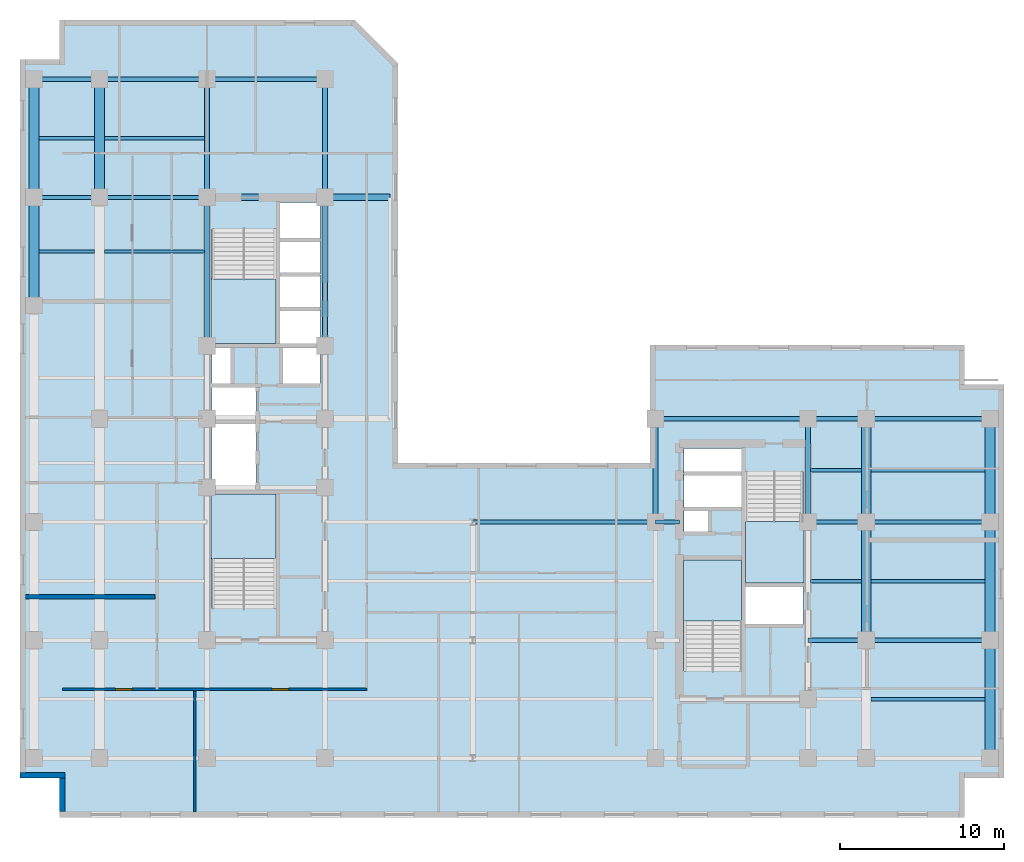
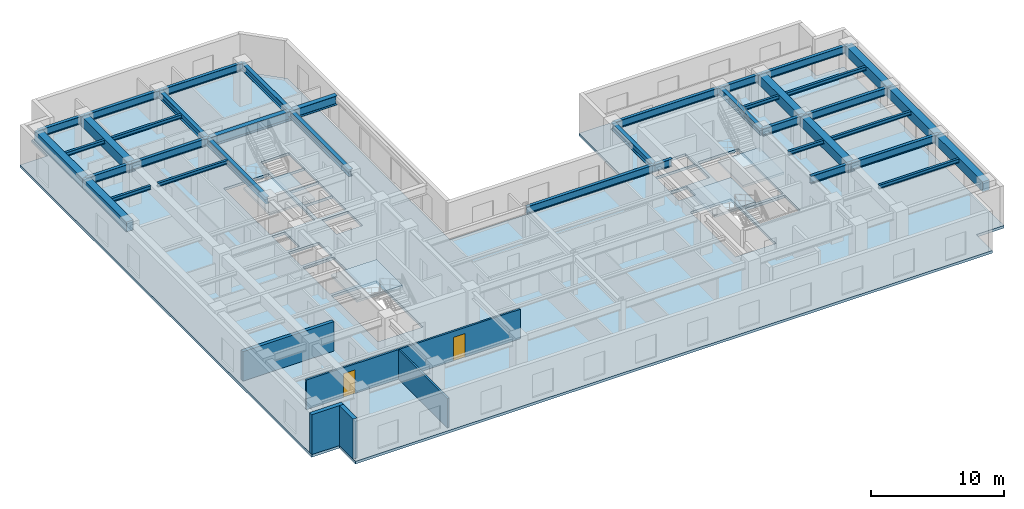
# One storey, part 2 of 10: 38 beams, 5 slabs, 5 walls, 2 doors, 2 openings, 4 elements without a shape of their own.
"""IFC4 building model written with IfcOpenShell, lengths in metres."""

from ifc_helpers import new_model, entity, si_unit, converted_unit, direction, frame, origin_with_axes, origin_2d_with_axis, place, context, subcontext, project, spatial, polyline, rectangle, i_section, outline, extrude, material, layer, layer_set, material_profile, profile_set, type_object, element, fill, aggregate, save


model = new_model("IFC4")

# Units and contexts
model_context = context("Model", 3, precision=1e-05, world=origin_with_axes(), true_north=direction((0.0, 1.0)))
body_context = subcontext(model_context, "Body", "Model", "MODEL_VIEW")
ifc_project = project(units=[si_unit("LENGTHUNIT", "METRE"), si_unit("AREAUNIT", "SQUARE_METRE"), si_unit("VOLUMEUNIT", "CUBIC_METRE"), converted_unit("PLANEANGLEUNIT", "DEGREE", entity("IfcPlaneAngleMeasure", 0.017453292519943295), si_unit("PLANEANGLEUNIT", "RADIAN"), dimensions=[0, 0, 0, 0, 0, 0, 0]), si_unit("MASSUNIT", "GRAM", prefix="KILO"), si_unit("THERMODYNAMICTEMPERATUREUNIT", "KELVIN")], contexts=[model_context])

# Site, building, storey
site_placement = place(None, origin_with_axes())
site = spatial("IfcSite", under=ifc_project, at=site_placement, CompositionType="ELEMENT")
building_placement = place(site_placement, origin_with_axes())
building = spatial("IfcBuilding", under=site, at=building_placement, Name="Varnlund Millrace Tower", CompositionType="ELEMENT")
storey_placement = place(building_placement, frame((0.0, 0.0, 156.3), z_axis=(0.0, 0.0, 1.0), x_axis=(1.0, 0.0, 0.0)))
storey = spatial("IfcBuildingStorey", under=building, at=storey_placement, Name="L38", CompositionType="ELEMENT", Elevation=156.3)

# Beams
ifc_material_1 = material(Name="Steel ASTM A992 Grade 50", Category="steel")
ifc_material_profile_1 = material_profile(ifc_material_1, i_section(OverallWidth=0.328, OverallDepth=0.628, WebThickness=0.0165, FlangeThickness=0.0277, FilletRadius=0.018, at=origin_2d_with_axis()), Name="Steel ASTM A992 Grade 50")
ifc_profile_set_1 = profile_set([ifc_material_profile_1], Name="Steel ASTM A992 Grade 50")
beam_type_1 = type_object("IfcBeamType", Name="Type-Girder-W24X146", PredefinedType="USERDEFINED", material=ifc_profile_set_1)
beam_1_placement = place(storey_placement, frame((11.4, 28.75, 3.346), z_axis=(0.0, 1.0, 0.0), x_axis=(-1.0, 0.0, 0.0)))
element("IfcBeam", 1, at=beam_1_placement, inside=storey, type_object=beam_type_1, Name="Type-Girder-W24X146", ObjectType="GIRDER", PredefinedType="USERDEFINED", context=body_context, shape_type="SweptSolid", body=[
    extrude(i_section(OverallWidth=0.328, OverallDepth=0.628, WebThickness=0.0165, FlangeThickness=0.0277, FilletRadius=0.018, at=origin_2d_with_axis()), origin_with_axes(), (0.0, 0.0, 1.0), 9.05),
])
beam_2_placement = place(storey_placement, frame((11.4, 37.8, 3.346), z_axis=(0.0, 1.0, 0.0), x_axis=(-1.0, 0.0, 0.0)))
element("IfcBeam", 2, at=beam_2_placement, inside=storey, type_object=beam_type_1, Name="Type-Girder-W24X146", ObjectType="GIRDER", PredefinedType="USERDEFINED", context=body_context, shape_type="SweptSolid", body=[
    extrude(i_section(OverallWidth=0.328, OverallDepth=0.628, WebThickness=0.0165, FlangeThickness=0.0277, FilletRadius=0.018, at=origin_2d_with_axis()), origin_with_axes(), (0.0, 0.0, 1.0), 7.2),
])
beam_3_placement = place(storey_placement, frame((18.6, 28.75, 3.346), z_axis=(0.0, 1.0, 0.0), x_axis=(-1.0, 0.0, 0.0)))
element("IfcBeam", 3, at=beam_3_placement, inside=storey, type_object=beam_type_1, Name="Type-Girder-W24X146", ObjectType="GIRDER", PredefinedType="USERDEFINED", context=body_context, shape_type="SweptSolid", body=[
    extrude(i_section(OverallWidth=0.328, OverallDepth=0.628, WebThickness=0.0165, FlangeThickness=0.0277, FilletRadius=0.018, at=origin_2d_with_axis()), origin_with_axes(), (0.0, 0.0, 1.0), 9.05),
])
beam_4_placement = place(storey_placement, frame((18.6, 37.8, 3.346), z_axis=(0.0, 1.0, 0.0), x_axis=(-1.0, 0.0, 0.0)))
element("IfcBeam", 4, at=beam_4_placement, inside=storey, type_object=beam_type_1, Name="Type-Girder-W24X146", ObjectType="GIRDER", PredefinedType="USERDEFINED", context=body_context, shape_type="SweptSolid", body=[
    extrude(i_section(OverallWidth=0.328, OverallDepth=0.628, WebThickness=0.0165, FlangeThickness=0.0277, FilletRadius=0.018, at=origin_2d_with_axis()), origin_with_axes(), (0.0, 0.0, 1.0), 7.2),
])
for number, where, z_axis, x_axis, name in (
    (5, (38.75, 18.0, 3.346), (0.0, 1.0, 0.0), (-1.0, 0.0, 0.0), "Type-Girder-W24X146"),
    (6, (48.05, 18.0, 3.346), (0.0, 1.0, 0.0), (-1.0, 0.0, 0.0), "Type-Girder-W24X146"),
):
    element("IfcBeam", number, at=place(storey_placement, frame(where, z_axis=z_axis, x_axis=x_axis)), inside=storey, type_object=beam_type_1, Name=name, ObjectType="GIRDER", PredefinedType="USERDEFINED", context=body_context, shape_type="SweptSolid", body=[
        extrude(i_section(OverallWidth=0.328, OverallDepth=0.628, WebThickness=0.0165, FlangeThickness=0.0277, FilletRadius=0.018, at=origin_2d_with_axis()), origin_with_axes(), (0.0, 0.0, 1.0), 6.3),
    ])
ifc_material_profile_2 = material_profile(ifc_material_1, i_section(OverallWidth=0.256, OverallDepth=0.693, WebThickness=0.0145, FlangeThickness=0.0236, FilletRadius=0.018, at=origin_2d_with_axis()), Name="Steel ASTM A992 Grade 50")
ifc_profile_set_2 = profile_set([ifc_material_profile_2], Name="Steel ASTM A992 Grade 50")
beam_type_2 = type_object("IfcBeamType", Name="Type-Girder-W27X114", PredefinedType="USERDEFINED", material=ifc_profile_set_2)
beam_5_placement = place(storey_placement, frame((48.05, 10.8, 3.3135), z_axis=(1.0, 0.0, 0.0), x_axis=(0.0, 1.0, 0.0)))
element("IfcBeam", 7, at=beam_5_placement, inside=storey, type_object=beam_type_2, Name="Type-Girder-W27X114", ObjectType="GIRDER", PredefinedType="USERDEFINED", context=body_context, shape_type="SweptSolid", body=[
    extrude(i_section(OverallWidth=0.256, OverallDepth=0.693, WebThickness=0.0145, FlangeThickness=0.0236, FilletRadius=0.018, at=origin_2d_with_axis()), origin_with_axes(), (0.0, 0.0, 1.0), 3.55),
])
beam_6_placement = place(storey_placement, frame((51.6, 10.8, 3.3135), z_axis=(1.0, 0.0, 0.0), x_axis=(0.0, 1.0, 0.0)))
element("IfcBeam", 8, at=beam_6_placement, inside=storey, type_object=beam_type_2, Name="Type-Girder-W27X114", ObjectType="GIRDER", PredefinedType="USERDEFINED", context=body_context, shape_type="SweptSolid", body=[
    extrude(i_section(OverallWidth=0.256, OverallDepth=0.693, WebThickness=0.0145, FlangeThickness=0.0236, FilletRadius=0.018, at=origin_2d_with_axis()), origin_with_axes(), (0.0, 0.0, 1.0), 7.55),
])
beam_7_placement = place(storey_placement, frame((27.6, 18.0, 3.3135), z_axis=(1.0, 0.0, 0.0), x_axis=(0.0, 1.0, 0.0)))
element("IfcBeam", 9, at=beam_7_placement, inside=storey, type_object=beam_type_2, Name="Type-Girder-W27X114", ObjectType="GIRDER", PredefinedType="USERDEFINED", context=body_context, shape_type="SweptSolid", body=[
    extrude(i_section(OverallWidth=0.256, OverallDepth=0.693, WebThickness=0.0145, FlangeThickness=0.0236, FilletRadius=0.018, at=origin_2d_with_axis()), origin_with_axes(), (0.0, 0.0, 1.0), 11.15),
])
beam_8_placement = place(storey_placement, frame((38.75, 18.0, 3.3135), z_axis=(1.0, 0.0, 0.0), x_axis=(0.0, 1.0, 0.0)))
element("IfcBeam", 10, at=beam_8_placement, inside=storey, type_object=beam_type_2, Name="Type-Girder-W27X114", ObjectType="GIRDER", PredefinedType="USERDEFINED", context=body_context, shape_type="SweptSolid", body=[
    extrude(i_section(OverallWidth=0.256, OverallDepth=0.693, WebThickness=0.0145, FlangeThickness=0.0236, FilletRadius=0.018, at=origin_2d_with_axis()), origin_with_axes(), (0.0, 0.0, 1.0), 1.45),
])
beam_9_placement = place(storey_placement, frame((48.05, 18.0, 3.3135), z_axis=(1.0, 0.0, 0.0), x_axis=(0.0, 1.0, 0.0)))
element("IfcBeam", 11, at=beam_9_placement, inside=storey, type_object=beam_type_2, Name="Type-Girder-W27X114", ObjectType="GIRDER", PredefinedType="USERDEFINED", context=body_context, shape_type="SweptSolid", body=[
    extrude(i_section(OverallWidth=0.256, OverallDepth=0.693, WebThickness=0.0145, FlangeThickness=0.0236, FilletRadius=0.018, at=origin_2d_with_axis()), origin_with_axes(), (0.0, 0.0, 1.0), 3.55),
])
beam_10_placement = place(storey_placement, frame((51.6, 18.0, 3.3135), z_axis=(1.0, 0.0, 0.0), x_axis=(0.0, 1.0, 0.0)))
element("IfcBeam", 12, at=beam_10_placement, inside=storey, type_object=beam_type_2, Name="Type-Girder-W27X114", ObjectType="GIRDER", PredefinedType="USERDEFINED", context=body_context, shape_type="SweptSolid", body=[
    extrude(i_section(OverallWidth=0.256, OverallDepth=0.693, WebThickness=0.0145, FlangeThickness=0.0236, FilletRadius=0.018, at=origin_2d_with_axis()), origin_with_axes(), (0.0, 0.0, 1.0), 7.55),
])
beam_11_placement = place(storey_placement, frame((38.75, 24.3, 3.3135), z_axis=(1.0, 0.0, 0.0), x_axis=(0.0, 1.0, 0.0)))
element("IfcBeam", 13, at=beam_11_placement, inside=storey, type_object=beam_type_2, Name="Type-Girder-W27X114", ObjectType="GIRDER", PredefinedType="USERDEFINED", context=body_context, shape_type="SweptSolid", body=[
    extrude(i_section(OverallWidth=0.256, OverallDepth=0.693, WebThickness=0.0145, FlangeThickness=0.0236, FilletRadius=0.018, at=origin_2d_with_axis()), origin_with_axes(), (0.0, 0.0, 1.0), 9.3),
])
beam_12_placement = place(storey_placement, frame((48.05, 24.3, 3.3135), z_axis=(1.0, 0.0, 0.0), x_axis=(0.0, 1.0, 0.0)))
element("IfcBeam", 14, at=beam_12_placement, inside=storey, type_object=beam_type_2, Name="Type-Girder-W27X114", ObjectType="GIRDER", PredefinedType="USERDEFINED", context=body_context, shape_type="SweptSolid", body=[
    extrude(i_section(OverallWidth=0.256, OverallDepth=0.693, WebThickness=0.0145, FlangeThickness=0.0236, FilletRadius=0.018, at=origin_2d_with_axis()), origin_with_axes(), (0.0, 0.0, 1.0), 3.55),
])
beam_13_placement = place(storey_placement, frame((51.6, 24.3, 3.3135), z_axis=(1.0, 0.0, 0.0), x_axis=(0.0, 1.0, 0.0)))
element("IfcBeam", 15, at=beam_13_placement, inside=storey, type_object=beam_type_2, Name="Type-Girder-W27X114", ObjectType="GIRDER", PredefinedType="USERDEFINED", context=body_context, shape_type="SweptSolid", body=[
    extrude(i_section(OverallWidth=0.256, OverallDepth=0.693, WebThickness=0.0145, FlangeThickness=0.0236, FilletRadius=0.018, at=origin_2d_with_axis()), origin_with_axes(), (0.0, 0.0, 1.0), 7.55),
])
beam_14_placement = place(storey_placement, frame((0.85, 37.8, 3.3135), z_axis=(1.0, 0.0, 0.0), x_axis=(0.0, 1.0, 0.0)))
element("IfcBeam", 16, at=beam_14_placement, inside=storey, type_object=beam_type_2, Name="Type-Girder-W27X114", ObjectType="GIRDER", PredefinedType="USERDEFINED", context=body_context, shape_type="SweptSolid", body=[
    extrude(i_section(OverallWidth=0.256, OverallDepth=0.693, WebThickness=0.0145, FlangeThickness=0.0236, FilletRadius=0.018, at=origin_2d_with_axis()), origin_with_axes(), (0.0, 0.0, 1.0), 4.0),
])
beam_15_placement = place(storey_placement, frame((4.85, 37.8, 3.3135), z_axis=(1.0, 0.0, 0.0), x_axis=(0.0, 1.0, 0.0)))
element("IfcBeam", 17, at=beam_15_placement, inside=storey, type_object=beam_type_2, Name="Type-Girder-W27X114", ObjectType="GIRDER", PredefinedType="USERDEFINED", context=body_context, shape_type="SweptSolid", body=[
    extrude(i_section(OverallWidth=0.256, OverallDepth=0.693, WebThickness=0.0145, FlangeThickness=0.0236, FilletRadius=0.018, at=origin_2d_with_axis()), origin_with_axes(), (0.0, 0.0, 1.0), 6.55),
])
beam_16_placement = place(storey_placement, frame((0.85, 45.0, 3.3135), z_axis=(1.0, 0.0, 0.0), x_axis=(0.0, 1.0, 0.0)))
element("IfcBeam", 18, at=beam_16_placement, inside=storey, type_object=beam_type_2, Name="Type-Girder-W27X114", ObjectType="GIRDER", PredefinedType="USERDEFINED", context=body_context, shape_type="SweptSolid", body=[
    extrude(i_section(OverallWidth=0.256, OverallDepth=0.693, WebThickness=0.0145, FlangeThickness=0.0236, FilletRadius=0.018, at=origin_2d_with_axis()), origin_with_axes(), (0.0, 0.0, 1.0), 4.0),
])
beam_17_placement = place(storey_placement, frame((4.85, 45.0, 3.3135), z_axis=(1.0, 0.0, 0.0), x_axis=(0.0, 1.0, 0.0)))
element("IfcBeam", 19, at=beam_17_placement, inside=storey, type_object=beam_type_2, Name="Type-Girder-W27X114", ObjectType="GIRDER", PredefinedType="USERDEFINED", context=body_context, shape_type="SweptSolid", body=[
    extrude(i_section(OverallWidth=0.256, OverallDepth=0.693, WebThickness=0.0145, FlangeThickness=0.0236, FilletRadius=0.018, at=origin_2d_with_axis()), origin_with_axes(), (0.0, 0.0, 1.0), 6.55),
])
beam_18_placement = place(storey_placement, frame((11.4, 45.0, 3.3135), z_axis=(1.0, 0.0, 0.0), x_axis=(0.0, 1.0, 0.0)))
element("IfcBeam", 20, at=beam_18_placement, inside=storey, type_object=beam_type_2, Name="Type-Girder-W27X114", ObjectType="GIRDER", PredefinedType="USERDEFINED", context=body_context, shape_type="SweptSolid", body=[
    extrude(i_section(OverallWidth=0.256, OverallDepth=0.693, WebThickness=0.0145, FlangeThickness=0.0236, FilletRadius=0.018, at=origin_2d_with_axis()), origin_with_axes(), (0.0, 0.0, 1.0), 7.2),
])
ifc_material_profile_3 = material_profile(ifc_material_1, i_section(OverallWidth=0.399, OverallDepth=0.855, WebThickness=0.0182, FlangeThickness=0.0292, FilletRadius=0.022, at=origin_2d_with_axis()), Name="Steel ASTM A992 Grade 50")
ifc_profile_set_3 = profile_set([ifc_material_profile_3], Name="Steel ASTM A992 Grade 50")
beam_type_3 = type_object("IfcBeamType", Name="Type-Girder-W33X201", PredefinedType="USERDEFINED", material=ifc_profile_set_3)
beam_19_placement = place(storey_placement, frame((11.4, 37.8, 3.2325), z_axis=(1.0, 0.0, 0.0), x_axis=(0.0, 1.0, 0.0)))
element("IfcBeam", 21, at=beam_19_placement, inside=storey, type_object=beam_type_3, Name="Type-Girder-W33X201", ObjectType="GIRDER", PredefinedType="USERDEFINED", context=body_context, shape_type="SweptSolid", body=[
    extrude(i_section(OverallWidth=0.399, OverallDepth=0.855, WebThickness=0.0182, FlangeThickness=0.0292, FilletRadius=0.022, at=origin_2d_with_axis()), origin_with_axes(), (0.0, 0.0, 1.0), 11.15),
])
ifc_material_profile_4 = material_profile(ifc_material_1, i_section(OverallWidth=0.204, OverallDepth=0.35, WebThickness=0.0086, FlangeThickness=0.0151, FilletRadius=0.013, at=origin_2d_with_axis()), Name="Steel ASTM A992 Grade 50")
ifc_profile_set_4 = profile_set([ifc_material_profile_4], Name="Steel ASTM A992 Grade 50")
beam_type_4 = type_object("IfcBeamType", Name="Type-Joist-W14X48", PredefinedType="JOIST", material=ifc_profile_set_4)
for number, where, z_axis, x_axis, name in (
    (22, (1.15, 34.5, 3.485), (1.0, 0.0, 0.0), (0.0, 1.0, 0.0), "Type-Joist-W14X48"),
    (23, (1.15, 41.4, 3.485), (1.0, 0.0, 0.0), (0.0, 1.0, 0.0), "Type-Joist-W14X48"),
):
    element("IfcBeam", number, at=place(storey_placement, frame(where, z_axis=z_axis, x_axis=x_axis)), inside=storey, type_object=beam_type_4, Name=name, PredefinedType="JOIST", context=body_context, shape_type="SweptSolid", body=[
        extrude(i_section(OverallWidth=0.204, OverallDepth=0.35, WebThickness=0.0086, FlangeThickness=0.0151, FilletRadius=0.013, at=origin_2d_with_axis()), origin_with_axes(), (0.0, 0.0, 1.0), 3.4),
    ])
for number, where, z_axis, x_axis, name in (
    (24, (5.15, 34.5, 3.485), (1.0, 0.0, 0.0), (0.0, 1.0, 0.0), "Type-Joist-W14X48"),
    (25, (5.15, 41.4, 3.485), (1.0, 0.0, 0.0), (0.0, 1.0, 0.0), "Type-Joist-W14X48"),
):
    element("IfcBeam", number, at=place(storey_placement, frame(where, z_axis=z_axis, x_axis=x_axis)), inside=storey, type_object=beam_type_4, Name=name, PredefinedType="JOIST", context=body_context, shape_type="SweptSolid", body=[
        extrude(i_section(OverallWidth=0.204, OverallDepth=0.35, WebThickness=0.0086, FlangeThickness=0.0151, FilletRadius=0.013, at=origin_2d_with_axis()), origin_with_axes(), (0.0, 0.0, 1.0), 6.086),
    ])
for number, where, z_axis, x_axis, name in (
    (26, (48.214, 14.4, 3.485), (1.0, 0.0, 0.0), (0.0, 1.0, 0.0), "Type-Joist-W14X48"),
    (27, (48.214, 21.15, 3.485), (1.0, 0.0, 0.0), (0.0, 1.0, 0.0), "Type-Joist-W14X48"),
):
    element("IfcBeam", number, at=place(storey_placement, frame(where, z_axis=z_axis, x_axis=x_axis)), inside=storey, type_object=beam_type_4, Name=name, PredefinedType="JOIST", context=body_context, shape_type="SweptSolid", body=[
        extrude(i_section(OverallWidth=0.204, OverallDepth=0.35, WebThickness=0.0086, FlangeThickness=0.0151, FilletRadius=0.013, at=origin_2d_with_axis()), origin_with_axes(), (0.0, 0.0, 1.0), 3.086),
    ])
for number, where, z_axis, x_axis, name in (
    (28, (51.9, 7.2, 3.485), (1.0, 0.0, 0.0), (0.0, 1.0, 0.0), "Type-Joist-W14X48"),
    (29, (51.9, 14.4, 3.485), (1.0, 0.0, 0.0), (0.0, 1.0, 0.0), "Type-Joist-W14X48"),
    (30, (51.9, 21.15, 3.485), (1.0, 0.0, 0.0), (0.0, 1.0, 0.0), "Type-Joist-W14X48"),
):
    element("IfcBeam", number, at=place(storey_placement, frame(where, z_axis=z_axis, x_axis=x_axis)), inside=storey, type_object=beam_type_4, Name=name, PredefinedType="JOIST", context=body_context, shape_type="SweptSolid", body=[
        extrude(i_section(OverallWidth=0.204, OverallDepth=0.35, WebThickness=0.0086, FlangeThickness=0.0151, FilletRadius=0.013, at=origin_2d_with_axis()), origin_with_axes(), (0.0, 0.0, 1.0), 6.95),
    ])
ifc_material_2 = material(Name="Concrete C70/85", Category="concrete")
ifc_material_profile_5 = material_profile(ifc_material_2, rectangle(XDim=0.6, YDim=0.9, at=origin_2d_with_axis()), Name="Concrete C70/85")
ifc_profile_set_5 = profile_set([ifc_material_profile_5], Name="Concrete C70/85")
beam_type_5 = type_object("IfcBeamType", Name="Type-Spandrel-RC600X900", PredefinedType="SPANDREL", material=ifc_profile_set_5)
beam_20_placement = place(storey_placement, frame((0.85, 31.2, 3.21), z_axis=(0.0, 1.0, 0.0), x_axis=(-1.0, 0.0, 0.0)))
element("IfcBeam", 31, at=beam_20_placement, inside=storey, type_object=beam_type_5, Name="Type-Spandrel-RC600X900", PredefinedType="SPANDREL", context=body_context, shape_type="SweptSolid", body=[
    extrude(rectangle(XDim=0.6, YDim=0.9, at=origin_2d_with_axis()), origin_with_axes(), (0.0, 0.0, 1.0), 6.6),
])
for number, where, z_axis, x_axis, name in (
    (32, (0.85, 37.8, 3.21), (0.0, 1.0, 0.0), (-1.0, 0.0, 0.0), "Type-Spandrel-RC600X900"),
    (33, (4.85, 37.8, 3.21), (0.0, 1.0, 0.0), (-1.0, 0.0, 0.0), "Type-Spandrel-RC600X900"),
    (34, (51.6, 10.8, 3.21), (0.0, 1.0, 0.0), (-1.0, 0.0, 0.0), "Type-Spandrel-RC600X900"),
):
    element("IfcBeam", number, at=place(storey_placement, frame(where, z_axis=z_axis, x_axis=x_axis)), inside=storey, type_object=beam_type_5, Name=name, PredefinedType="SPANDREL", context=body_context, shape_type="SweptSolid", body=[
        extrude(rectangle(XDim=0.6, YDim=0.9, at=origin_2d_with_axis()), origin_with_axes(), (0.0, 0.0, 1.0), 7.2),
    ])
beam_21_placement = place(storey_placement, frame((51.6, 18.0, 3.21), z_axis=(0.0, 1.0, 0.0), x_axis=(-1.0, 0.0, 0.0)))
element("IfcBeam", 35, at=beam_21_placement, inside=storey, type_object=beam_type_5, Name="Type-Spandrel-RC600X900", PredefinedType="SPANDREL", context=body_context, shape_type="SweptSolid", body=[
    extrude(rectangle(XDim=0.6, YDim=0.9, at=origin_2d_with_axis()), origin_with_axes(), (0.0, 0.0, 1.0), 6.3),
])
for number, where, z_axis, x_axis, name in (
    (36, (59.15, 3.6, 3.21), (0.0, 1.0, 0.0), (-1.0, 0.0, 0.0), "Type-Spandrel-RC600X900"),
    (37, (59.15, 10.8, 3.21), (0.0, 1.0, 0.0), (-1.0, 0.0, 0.0), "Type-Spandrel-RC600X900"),
):
    element("IfcBeam", number, at=place(storey_placement, frame(where, z_axis=z_axis, x_axis=x_axis)), inside=storey, type_object=beam_type_5, Name=name, PredefinedType="SPANDREL", context=body_context, shape_type="SweptSolid", body=[
        extrude(rectangle(XDim=0.6, YDim=0.9, at=origin_2d_with_axis()), origin_with_axes(), (0.0, 0.0, 1.0), 7.2),
    ])
beam_22_placement = place(storey_placement, frame((59.15, 18.0, 3.21), z_axis=(0.0, 1.0, 0.0), x_axis=(-1.0, 0.0, 0.0)))
element("IfcBeam", 38, at=beam_22_placement, inside=storey, type_object=beam_type_5, Name="Type-Spandrel-RC600X900", PredefinedType="SPANDREL", context=body_context, shape_type="SweptSolid", body=[
    extrude(rectangle(XDim=0.6, YDim=0.9, at=origin_2d_with_axis()), origin_with_axes(), (0.0, 0.0, 1.0), 6.3),
])

# Slab
ifc_material_3 = material(Name="Concrete C60/75", Category="concrete")
ifc_layer_1 = layer(ifc_material_3, 0.24, Name="Concrete C60/75")
ifc_layer_set_1 = layer_set([ifc_layer_1], Name="Concrete C60/75")
slab_type_1 = type_object("IfcSlabType", Name="Type-Deck-Plate-Typical-240", PredefinedType="FLOOR", material=ifc_layer_set_1)
slab_1_placement = place(storey_placement, frame((0.0, 0.0, -0.24), z_axis=(0.0, 0.0, 1.0), x_axis=(1.0, 0.0, 0.0)))
element("IfcSlab", 39, at=slab_1_placement, inside=storey, type_object=slab_type_1, Name="Type-Deck-Plate-Typical-240", PredefinedType="FLOOR", context=body_context, shape_type="SweptSolid", body=[
    extrude(outline(polyline([(23.052, 21.6), (23.052, 45.96), (20.412, 48.6), (2.4, 48.6), (2.4, 46.2), (0.0, 46.2), (0.0, 2.4), (2.4, 2.4), (2.4, 0.0), (57.6, 0.0), (57.6, 2.4), (60.0, 2.4), (60.0, 26.4), (57.6, 26.4), (57.6, 28.8), (38.4, 28.8), (38.4, 21.6), (23.052, 21.6)]), holes=[polyline([(15.6, 12.715), (11.7, 12.715), (11.7, 19.7), (15.6, 19.7), (15.6, 12.715)]), polyline([(14.38, 23.98), (14.38, 19.94), (11.7, 19.94), (11.7, 23.98), (14.38, 23.98)]), polyline([(14.38, 24.24), (11.7, 24.24), (11.7, 26.2), (14.38, 26.2), (14.38, 24.24)]), polyline([(12.84, 26.46), (11.7, 26.46), (11.7, 28.65), (12.84, 28.65), (12.84, 26.46)]), polyline([(18.3, 28.9), (15.84, 28.9), (15.84, 30.98), (18.3, 30.98), (18.3, 28.9)]), polyline([(18.3, 31.02), (15.84, 31.02), (15.84, 33.08), (18.3, 33.08), (18.3, 31.02)]), polyline([(15.6, 28.9), (11.7, 28.9), (11.7, 35.885), (15.6, 35.885), (15.6, 28.9)]), polyline([(18.3, 33.12), (15.84, 33.12), (15.84, 35.18), (18.3, 35.18), (18.3, 33.12)]), polyline([(44.0, 8.915), (40.5, 8.915), (40.5, 15.7), (44.0, 15.7), (44.0, 8.915)]), polyline([(47.75, 11.74), (44.25, 11.74), (44.25, 14.06), (47.75, 14.06), (47.75, 11.74)]), polyline([(47.75, 14.3), (44.25, 14.3), (44.25, 21.085), (47.75, 21.085), (47.75, 14.3)]), polyline([(41.95, 17.42), (40.5, 17.42), (40.5, 18.72), (41.95, 18.72), (41.95, 17.42)]), polyline([(44.0, 18.88), (40.5, 18.88), (40.5, 20.94), (44.0, 20.94), (44.0, 18.88)]), polyline([(44.0, 21.0), (40.5, 21.0), (40.5, 22.5), (44.0, 22.5), (44.0, 21.0)]), polyline([(16.04, 26.46), (16.04, 28.65), (18.3, 28.65), (18.3, 26.46), (16.04, 26.46)]), polyline([(15.84, 35.22), (15.84, 37.5), (18.3, 37.5), (18.3, 35.22), (15.84, 35.22)])]), origin_with_axes(), (0.0, 0.0, 1.0), 0.24),
])

# Stair, slab
ifc_material_4 = material(Name="Concrete C50/60", Category="concrete")
stair_type_1 = type_object("IfcStairType", Name="Type-Stair-Dogleg-185-390", PredefinedType="HALF_TURN_STAIR", material=ifc_material_4)
stair_1_placement = place(storey_placement, origin_with_axes())
stair_1 = element("IfcStair", 40, at=stair_1_placement, inside=storey, type_object=stair_type_1, Name="Type-Stair-Dogleg-185-390", PredefinedType="HALF_TURN_STAIR")
ifc_layer_2 = layer(ifc_material_4, 0.2, Name="Concrete C50/60")
ifc_layer_set_2 = layer_set([ifc_layer_2], Name="Concrete C50/60")
slab_type_2 = type_object("IfcSlabType", Name="Type-StairLanding-200", PredefinedType="LANDING", material=ifc_layer_set_2)
slab_2_placement = place(storey_placement, frame((0.0, 0.0, 1.75), z_axis=(0.0, 0.0, 1.0), x_axis=(1.0, 0.0, 0.0)))
slab_2 = element("IfcSlab", 41, at=slab_2_placement, type_object=slab_type_2, Name="ST-A1 landing 1", PredefinedType="LANDING", context=body_context, shape_type="SweptSolid", body=[
    extrude(outline(polyline([(15.6, 15.78), (15.6, 19.7), (11.65, 19.7), (11.65, 15.78), (15.6, 15.78)])), origin_with_axes(), (0.0, 0.0, 1.0), 0.2),
])
aggregate(stair_1, [slab_2])

stair_2_placement = place(storey_placement, origin_with_axes())
stair_2 = element("IfcStair", 42, at=stair_2_placement, inside=storey, type_object=stair_type_1, Name="Type-Stair-Dogleg-185-390", PredefinedType="HALF_TURN_STAIR")
slab_3_placement = place(storey_placement, frame((0.0, 0.0, 1.75), z_axis=(0.0, 0.0, 1.0), x_axis=(1.0, 0.0, 0.0)))
slab_3 = element("IfcSlab", 43, at=slab_3_placement, type_object=slab_type_2, Name="ST-A2 landing 1", PredefinedType="LANDING", context=body_context, shape_type="SweptSolid", body=[
    extrude(outline(polyline([(11.65, 32.82), (11.65, 28.9), (15.6, 28.9), (15.6, 32.82), (11.65, 32.82)])), origin_with_axes(), (0.0, 0.0, 1.0), 0.2),
])
aggregate(stair_2, [slab_3])

stair_type_2 = type_object("IfcStairType", Name="Type-Stair-Dogleg-165-390", PredefinedType="HALF_TURN_STAIR", material=ifc_material_4)
stair_3_placement = place(storey_placement, origin_with_axes())
stair_3 = element("IfcStair", 44, at=stair_3_placement, inside=storey, type_object=stair_type_2, Name="Type-Stair-Dogleg-165-390", PredefinedType="HALF_TURN_STAIR")
slab_4_placement = place(storey_placement, frame((0.0, 0.0, 1.75), z_axis=(0.0, 0.0, 1.0), x_axis=(1.0, 0.0, 0.0)))
slab_4 = element("IfcSlab", 45, at=slab_4_placement, type_object=slab_type_2, Name="ST-B1 landing 1", PredefinedType="LANDING", context=body_context, shape_type="SweptSolid", body=[
    extrude(outline(polyline([(44.0, 11.98), (44.0, 15.7), (40.45, 15.7), (40.45, 11.98), (44.0, 11.98)])), origin_with_axes(), (0.0, 0.0, 1.0), 0.2),
])
aggregate(stair_3, [slab_4])

stair_4_placement = place(storey_placement, origin_with_axes())
stair_4 = element("IfcStair", 46, at=stair_4_placement, inside=storey, type_object=stair_type_2, Name="Type-Stair-Dogleg-165-390", PredefinedType="HALF_TURN_STAIR")
slab_5_placement = place(storey_placement, frame((0.0, 0.0, 1.75), z_axis=(0.0, 0.0, 1.0), x_axis=(1.0, 0.0, 0.0)))
slab_5 = element("IfcSlab", 47, at=slab_5_placement, type_object=slab_type_2, Name="ST-B2 landing 1", PredefinedType="LANDING", context=body_context, shape_type="SweptSolid", body=[
    extrude(outline(polyline([(44.25, 18.02), (44.25, 14.3), (47.8, 14.3), (47.8, 18.02), (44.25, 18.02)])), origin_with_axes(), (0.0, 0.0, 1.0), 0.2),
])
aggregate(stair_4, [slab_5])

# Walls
ifc_material_5 = material(Name="Precast concrete C50/60", Category="concrete")
ifc_layer_3 = layer(ifc_material_5, 0.34, Name="Precast concrete C50/60")
ifc_layer_set_3 = layer_set([ifc_layer_3], Name="Precast concrete C50/60")
wall_type_1 = type_object("IfcWallType", Name="Type-ExtWall-Precast-Upper-340", PredefinedType="SOLIDWALL", material=ifc_layer_set_3)
wall_1_placement = place(storey_placement, frame((2.57, 0.34, 0.0), z_axis=(0.0, 0.0, 1.0), x_axis=(0.0, 1.0, 0.0)))
element("IfcWall", 48, at=wall_1_placement, inside=storey, type_object=wall_type_1, Name="Type-ExtWall-Precast-Upper-340", PredefinedType="SOLIDWALL", context=body_context, shape_type="SweptSolid", body=[
    extrude(outline(polyline([(0.0, -0.17), (2.06, -0.17), (2.06, 0.17), (0.0, 0.17), (0.0, -0.17)])), origin_with_axes(), (0.0, 0.0, 1.0), 3.66),
])
wall_2_placement = place(storey_placement, frame((2.74, 2.57, 0.0), z_axis=(0.0, 0.0, 1.0), x_axis=(-1.0, 0.0, 0.0)))
element("IfcWall", 49, at=wall_2_placement, inside=storey, type_object=wall_type_1, Name="Type-ExtWall-Precast-Upper-340", PredefinedType="SOLIDWALL", context=body_context, shape_type="SweptSolid", body=[
    extrude(outline(polyline([(0.0, -0.17), (2.74, -0.17), (2.74, 0.17), (0.0, 0.17), (0.0, -0.17)])), origin_with_axes(), (0.0, 0.0, 1.0), 3.66),
])
ifc_material_6 = material(Name="Double-stud STC-60 conference acoustic partition", Category="gypsum")
ifc_layer_4 = layer(ifc_material_6, 0.28, Name="Double-stud STC-60 conference acoustic partition")
ifc_layer_set_4 = layer_set([ifc_layer_4], Name="Double-stud STC-60 conference acoustic partition")
wall_type_2 = type_object("IfcWallType", Name="Type-Partition-Acoustic-280", PredefinedType="PARTITIONING", material=ifc_layer_set_4)
wall_3_placement = place(storey_placement, frame((0.335, 13.455, 0.0), z_axis=(0.0, 0.0, 1.0), x_axis=(1.0, 0.0, 0.0)))
element("IfcWall", 50, at=wall_3_placement, inside=storey, type_object=wall_type_2, Name="Type-Partition-Acoustic-280", PredefinedType="PARTITIONING", context=body_context, shape_type="SweptSolid", body=[
    extrude(outline(polyline([(0.0, -0.14), (7.895, -0.14), (7.895, 0.14), (0.0, 0.14), (0.0, -0.14)])), origin_with_axes(), (0.0, 0.0, 1.0), 2.7),
])

# Wall, openings, doors
ifc_material_7 = material(Name="Fire-rated gypsum board on cold-formed steel framing", Category="steel")
ifc_layer_5 = layer(ifc_material_7, 0.16, Name="Fire-rated gypsum board on cold-formed steel framing")
ifc_layer_set_5 = layer_set([ifc_layer_5], Name="Fire-rated gypsum board on cold-formed steel framing")
wall_type_3 = type_object("IfcWallType", Name="Type-Partition-Corridor-160", PredefinedType="PARTITIONING", material=ifc_layer_set_5)
wall_4_placement = place(storey_placement, frame((2.6, 7.8, 0.0), z_axis=(0.0, 0.0, 1.0), x_axis=(1.0, 0.0, 0.0)))
wall_4 = element("IfcWall", 51, at=wall_4_placement, inside=storey, type_object=wall_type_3, Name="Type-Partition-Corridor-160", PredefinedType="PARTITIONING", context=body_context, shape_type="SweptSolid", body=[
    extrude(outline(polyline([(0.0, -0.08), (18.55, -0.08), (18.55, 0.08), (0.0, 0.08), (0.0, -0.08)])), origin_with_axes(), (0.0, 0.0, 1.0), 2.7),
])
opening_1_placement = place(wall_4_placement, frame((3.737, 0.0, 0.0), z_axis=(0.0, 0.0, 1.0), x_axis=(1.0, 0.0, 0.0)))
opening_1 = element("IfcOpeningElement", 52, at=opening_1_placement, cuts=wall_4, Name="Opening L38:DR-WAS-01", PredefinedType="OPENING", context=body_context, shape_type="SweptSolid", body=[
    extrude(rectangle(XDim=1.0, YDim=0.18, at=origin_2d_with_axis()), origin_with_axes(), (0.0, 0.0, 1.0), 2.15),
])
opening_2_placement = place(wall_4_placement, frame((13.2725, 0.0, 0.0), z_axis=(0.0, 0.0, 1.0), x_axis=(1.0, 0.0, 0.0)))
opening_2 = element("IfcOpeningElement", 53, at=opening_2_placement, cuts=wall_4, Name="Opening L38:DR-WAS-02", PredefinedType="OPENING", context=body_context, shape_type="SweptSolid", body=[
    extrude(rectangle(XDim=1.0, YDim=0.18, at=origin_2d_with_axis()), origin_with_axes(), (0.0, 0.0, 1.0), 2.15),
])
ifc_material_8 = material(Name="Solid-core white oak and bronze frame door")
door_type = type_object("IfcDoorType", Name="Type-IntDoor-Office-1000X2150", OperationType="NOTDEFINED", PredefinedType="DOOR", material=ifc_material_8)
door_1_placement = place(wall_4_placement, frame((3.737, 0.0, 0.0), z_axis=(0.0, 0.0, 1.0), x_axis=(1.0, 0.0, 0.0)))
door_1 = element("IfcDoor", 54, at=door_1_placement, inside=storey, type_object=door_type, Name="Type-IntDoor-Office-1000X2150", OperationType="SINGLE_SWING_LEFT", OverallHeight=2.15, OverallWidth=1.0, PredefinedType="DOOR", context=body_context, shape_type="SweptSolid", body=[
    extrude(rectangle(XDim=1.0, YDim=0.09, at=origin_2d_with_axis()), origin_with_axes(), (0.0, 0.0, 1.0), 2.15),
])
fill(opening_1, door_1)
door_2_placement = place(wall_4_placement, frame((13.2725, 0.0, 0.0), z_axis=(0.0, 0.0, 1.0), x_axis=(1.0, 0.0, 0.0)))
door_2 = element("IfcDoor", 55, at=door_2_placement, inside=storey, type_object=door_type, Name="Type-IntDoor-Office-1000X2150", OperationType="SINGLE_SWING_RIGHT", OverallHeight=2.15, OverallWidth=1.0, PredefinedType="DOOR", context=body_context, shape_type="SweptSolid", body=[
    extrude(rectangle(XDim=1.0, YDim=0.09, at=origin_2d_with_axis()), origin_with_axes(), (0.0, 0.0, 1.0), 2.15),
])
fill(opening_2, door_2)

# Wall
ifc_material_9 = material(Name="Acoustic STC-50 gypsum board partition", Category="gypsum")
ifc_layer_6 = layer(ifc_material_9, 0.15, Name="Acoustic STC-50 gypsum board partition")
ifc_layer_set_6 = layer_set([ifc_layer_6], Name="Acoustic STC-50 gypsum board partition")
wall_type_4 = type_object("IfcWallType", Name="Type-Partition-Demising-150", PredefinedType="PARTITIONING", material=ifc_layer_set_6)
wall_5_placement = place(storey_placement, frame((10.645, 0.335, 0.0), z_axis=(0.0, 0.0, 1.0), x_axis=(0.0, 1.0, 0.0)))
element("IfcWall", 56, at=wall_5_placement, inside=storey, type_object=wall_type_4, Name="Type-Partition-Demising-150", PredefinedType="PARTITIONING", context=body_context, shape_type="SweptSolid", body=[
    extrude(outline(polyline([(0.0, -0.075), (7.365, -0.075), (7.365, 0.075), (0.0, 0.075), (0.0, -0.075)])), origin_with_axes(), (0.0, 0.0, 1.0), 2.7),
])

save(model, "model.ifc")
